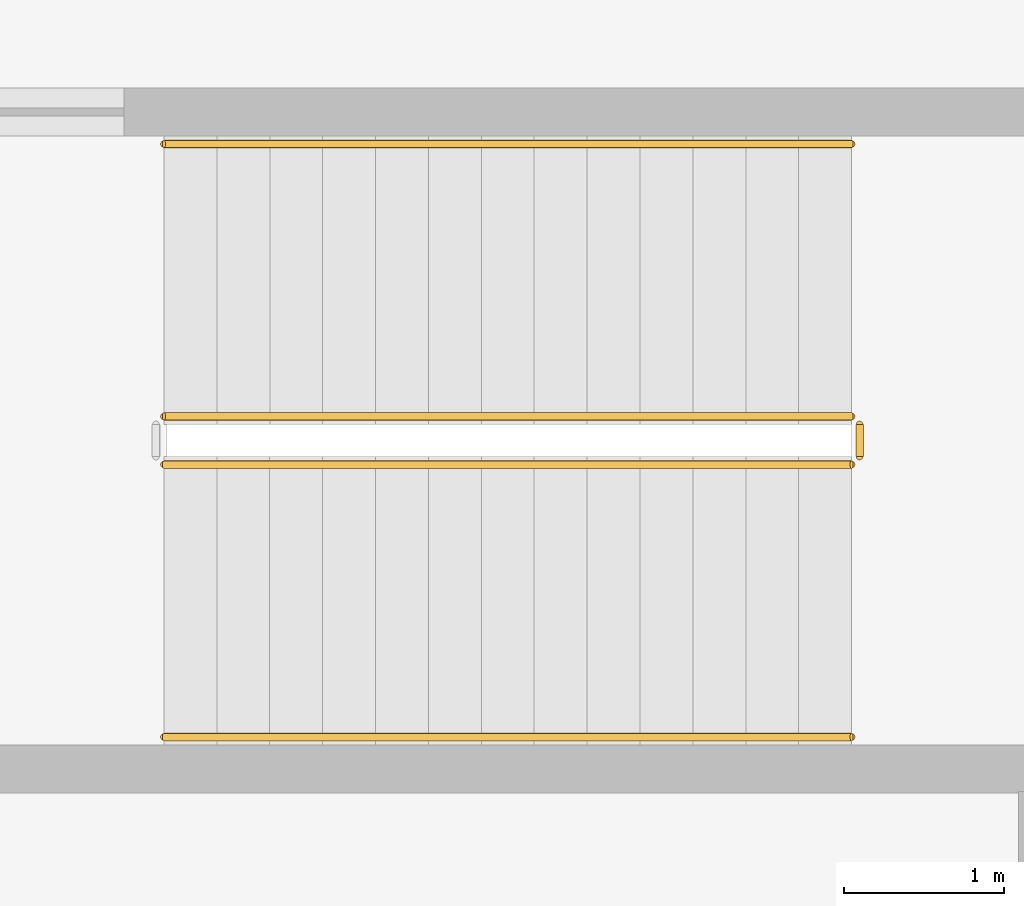
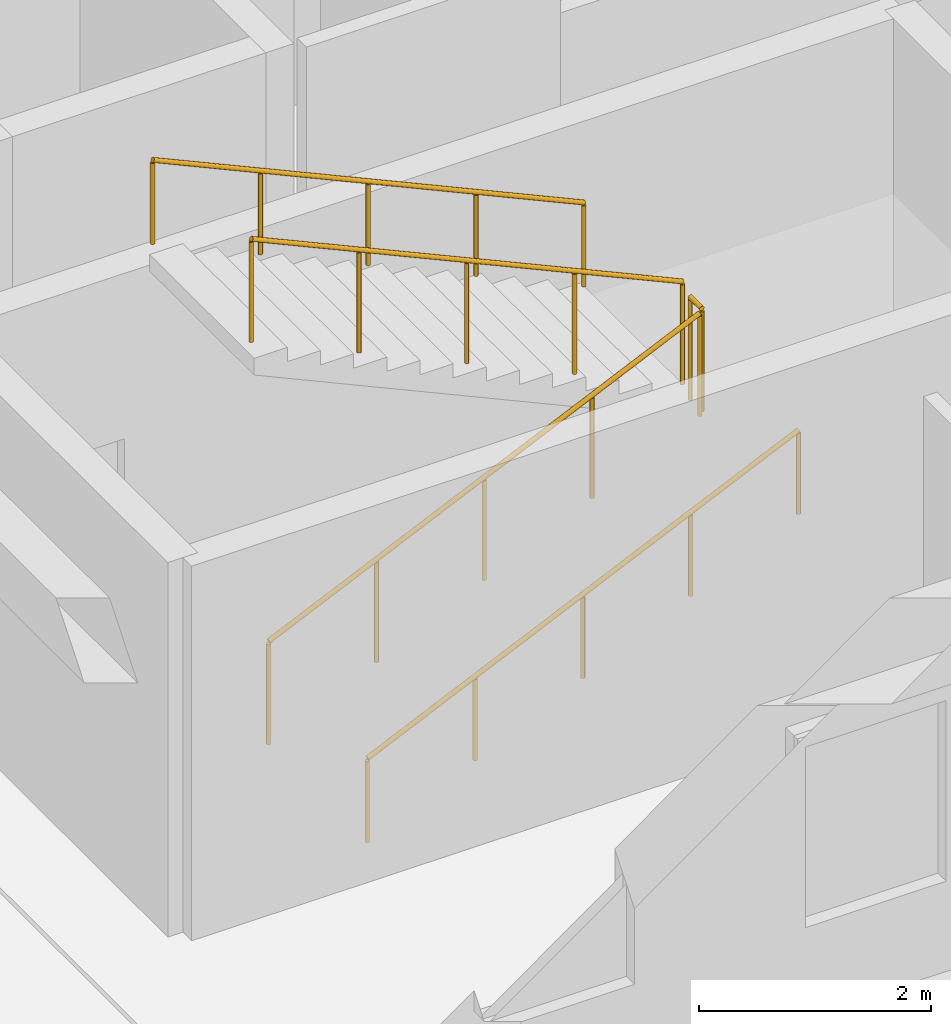
# One storey, part 90 of 90: 5 railings.
"""IFC4 building model written with IfcOpenShell, lengths in metres."""

from ifc_helpers import new_model, si_unit, direction, frame, origin, origin_2d, place, context, subcontext, project, spatial, circle, extrude, material, layer, layer_set, type_object, element, save


model = new_model("IFC4")

# Units and contexts
model_context = context("Model", 3, precision=1e-05, world=origin(), true_north=direction((0.0, 1.0)))
body_context = subcontext(model_context, "Body", "Model", "MODEL_VIEW")
ifc_project = project(units=[si_unit("LENGTHUNIT", "METRE"), si_unit("AREAUNIT", "SQUARE_METRE"), si_unit("VOLUMEUNIT", "CUBIC_METRE"), si_unit("PLANEANGLEUNIT", "RADIAN"), si_unit("MASSUNIT", "GRAM", prefix="KILO")], contexts=[model_context])

# Site, building, storey
site_placement = place(None, origin())
site = spatial("IfcSite", under=ifc_project, at=site_placement, CompositionType="ELEMENT")
building_placement = place(site_placement, origin())
building = spatial("IfcBuilding", under=site, at=building_placement, Name="Malvenik Polytechnic", CompositionType="ELEMENT")
storey_placement = place(building_placement, frame((0.0, 0.0, 9.300048828125)))
storey = spatial("IfcBuildingStorey", under=building, at=storey_placement, Name="L02", CompositionType="ELEMENT", Elevation=9.300048828125)

# Railings
ifc_material_1 = material(Name="Painted galvanised steel stair well balustrade 1100mm", Category="steel")
ifc_layer_1 = layer(ifc_material_1, 0.050048828125)
ifc_layer_set_1 = layer_set([ifc_layer_1], Name="Painted galvanised steel stair well balustrade 1100mm")
railing_type_1 = type_object("IfcRailingType", Name="ARC-RL-STGD", PredefinedType="BALUSTRADE", material=ifc_layer_set_1)
railing_1_placement = place(storey_placement, frame((95.39990234375, 120.89990234375, 0.14990234375)))
element("IfcRailing", 1, at=railing_1_placement, inside=storey, type_object=railing_type_1, Name="L02 ST-03 stair guard 1", PredefinedType="BALUSTRADE", context=body_context, shape_type="SweptSolid", body=[
    extrude(circle(Radius=0.02392578125, at=origin_2d()), frame((0.0, 0.0, 1.076171875), z_axis=(0.910371800137, 0.0, 0.413791234219), x_axis=(0.0, 1.0, 0.0)), (0.0, 0.0, 1.0), 4.71240234375),
    extrude(circle(Radius=0.02099609375, at=origin_2d()), origin(), (0.0, 0.0, 1.0), 1.052001953125),
    extrude(circle(Radius=0.02099609375, at=origin_2d()), frame((1.072509765625, 0.0, 0.487548828125)), (0.0, 0.0, 1.0), 1.052001953125),
    extrude(circle(Radius=0.02099609375, at=origin_2d()), frame((2.14501953125, 0.0, 0.97509765625)), (0.0, 0.0, 1.0), 1.052001953125),
    extrude(circle(Radius=0.02099609375, at=origin_2d()), frame((3.217529296875, 0.0, 1.46240234375)), (0.0, 0.0, 1.0), 1.052001953125),
    extrude(circle(Radius=0.02099609375, at=origin_2d()), frame((4.2900390625, 0.0, 1.949951171875)), (0.0, 0.0, 1.0), 1.052001953125),
])
railing_2_placement = place(storey_placement, frame((99.739990234375, 120.949951171875, 2.099853515625)))
element("IfcRailing", 2, at=railing_2_placement, inside=storey, type_object=railing_type_1, Name="L02 ST-03 stair guard 2", PredefinedType="BALUSTRADE", context=body_context, shape_type="SweptSolid", body=[
    extrude(circle(Radius=0.02392578125, at=origin_2d()), frame((0.0, 0.0, 1.076171875), z_axis=(0.0, 1.0, 0.0), x_axis=(-1.0, 0.0, 0.0)), (0.0, 0.0, 1.0), 0.199951171875),
    extrude(circle(Radius=0.02099609375, at=origin_2d()), origin(), (0.0, 0.0, 1.0), 1.052001953125),
    extrude(circle(Radius=0.02099609375, at=origin_2d()), frame((0.0, 0.199951171875, 0.0)), (0.0, 0.0, 1.0), 1.052001953125),
])
railing_3_placement = place(storey_placement, frame((99.68994140625, 121.199951171875, 2.25)))
element("IfcRailing", 3, at=railing_3_placement, inside=storey, type_object=railing_type_1, Name="L02 ST-03 stair guard 3", PredefinedType="BALUSTRADE", context=body_context, shape_type="SweptSolid", body=[
    extrude(circle(Radius=0.02392578125, at=origin_2d()), frame((0.0, 0.0, 1.076171875), z_axis=(-0.910371800137, 0.0, 0.413791234219), x_axis=(0.0, -1.0, 0.0)), (0.0, 0.0, 1.0), 4.71240234375),
    extrude(circle(Radius=0.02099609375, at=origin_2d()), origin(), (0.0, 0.0, 1.0), 1.052001953125),
    extrude(circle(Radius=0.02099609375, at=origin_2d()), frame((-1.072509765625, 0.0, 0.487548828125)), (0.0, 0.0, 1.0), 1.052001953125),
    extrude(circle(Radius=0.02099609375, at=origin_2d()), frame((-2.14501953125, 0.0, 0.97509765625)), (0.0, 0.0, 1.0), 1.052001953125),
    extrude(circle(Radius=0.02099609375, at=origin_2d()), frame((-3.217529296875, 0.0, 1.46240234375)), (0.0, 0.0, 1.0), 1.052001953125),
    extrude(circle(Radius=0.02099609375, at=origin_2d()), frame((-4.2900390625, 0.0, 1.949951171875)), (0.0, 0.0, 1.0), 1.052001953125),
])
ifc_material_2 = material(Name="Brushed stainless steel 1.4301 stair wall handrail", Category="steel")
ifc_layer_2 = layer(ifc_material_2, 0.044921875)
ifc_layer_set_2 = layer_set([ifc_layer_2], Name="Brushed stainless steel 1.4301 stair wall handrail")
railing_type_2 = type_object("IfcRailingType", Name="ARC-RL-STHR", PredefinedType="HANDRAIL", material=ifc_layer_set_2)
railing_4_placement = place(storey_placement, frame((95.39990234375, 119.199951171875, 0.14990234375)))
element("IfcRailing", 4, at=railing_4_placement, inside=storey, type_object=railing_type_2, Name="L02 ST-03 stair handrail 1", PredefinedType="HANDRAIL", context=body_context, shape_type="SweptSolid", body=[
    extrude(circle(Radius=0.02392578125, at=origin_2d()), frame((0.0, 0.0, 0.8759765625), z_axis=(0.910371800137, 0.0, 0.413791234219), x_axis=(0.0, 1.0, 0.0)), (0.0, 0.0, 1.0), 4.71240234375),
    extrude(circle(Radius=0.02099609375, at=origin_2d()), origin(), (0.0, 0.0, 1.0), 0.851806640625),
    extrude(circle(Radius=0.02099609375, at=origin_2d()), frame((1.072509765625, 0.0, 0.487548828125)), (0.0, 0.0, 1.0), 0.851806640625),
    extrude(circle(Radius=0.02099609375, at=origin_2d()), frame((2.14501953125, 0.0, 0.97509765625)), (0.0, 0.0, 1.0), 0.851806640625),
    extrude(circle(Radius=0.02099609375, at=origin_2d()), frame((3.217529296875, 0.0, 1.46240234375)), (0.0, 0.0, 1.0), 0.851806640625),
    extrude(circle(Radius=0.02099609375, at=origin_2d()), frame((4.2900390625, 0.0, 1.949951171875)), (0.0, 0.0, 1.0), 0.851806640625),
])
railing_5_placement = place(storey_placement, frame((99.68994140625, 122.89990234375, 2.25)))
element("IfcRailing", 5, at=railing_5_placement, inside=storey, type_object=railing_type_2, Name="L02 ST-03 stair handrail 2", PredefinedType="HANDRAIL", context=body_context, shape_type="SweptSolid", body=[
    extrude(circle(Radius=0.02392578125, at=origin_2d()), frame((0.0, 0.0, 0.8759765625), z_axis=(-0.910371800137, 0.0, 0.413791234219), x_axis=(0.0, -1.0, 0.0)), (0.0, 0.0, 1.0), 4.71240234375),
    extrude(circle(Radius=0.02099609375, at=origin_2d()), origin(), (0.0, 0.0, 1.0), 0.851806640625),
    extrude(circle(Radius=0.02099609375, at=origin_2d()), frame((-1.072509765625, 0.0, 0.487548828125)), (0.0, 0.0, 1.0), 0.851806640625),
    extrude(circle(Radius=0.02099609375, at=origin_2d()), frame((-2.14501953125, 0.0, 0.97509765625)), (0.0, 0.0, 1.0), 0.851806640625),
    extrude(circle(Radius=0.02099609375, at=origin_2d()), frame((-3.217529296875, 0.0, 1.46240234375)), (0.0, 0.0, 1.0), 0.851806640625),
    extrude(circle(Radius=0.02099609375, at=origin_2d()), frame((-4.2900390625, 0.0, 1.949951171875)), (0.0, 0.0, 1.0), 0.851806640625),
])

save(model, "model.ifc")
